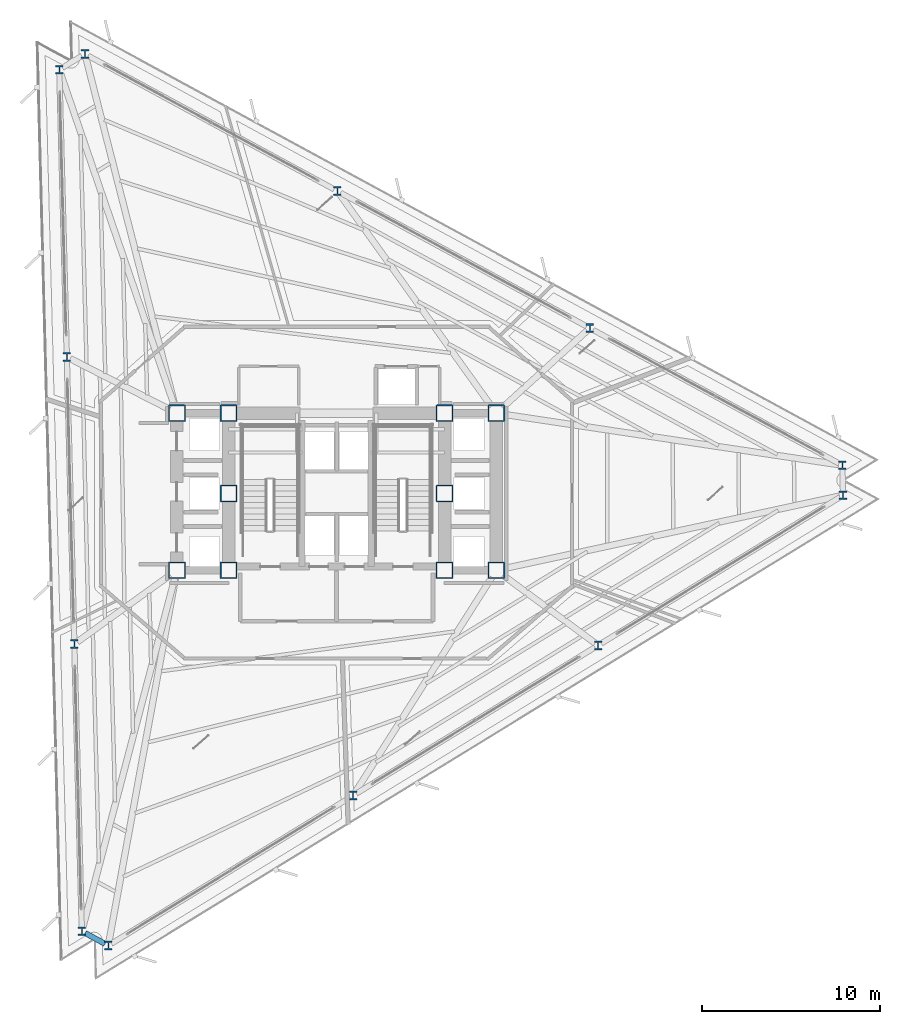
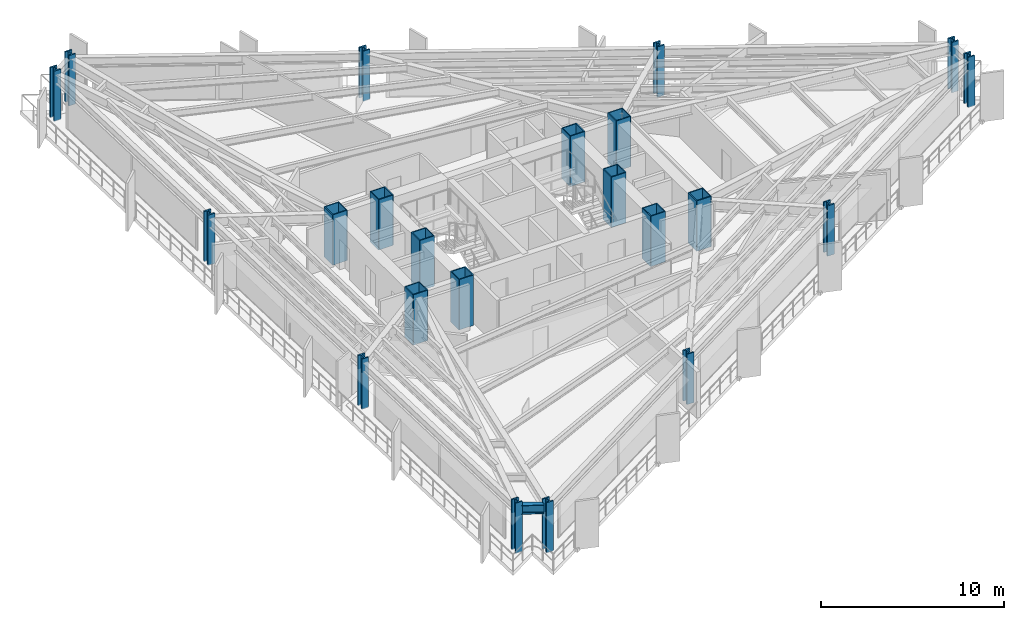
# One storey, part 1 of 14: 22 columns, 1 beam.
"""IFC4 building model written with IfcOpenShell, lengths in metres."""

from ifc_helpers import new_model, si_unit, direction, frame, origin, origin_2d, place, context, subcontext, project, spatial, hollow_rectangle, i_section, extrude, material, material_profile, profile_set, type_object, element, save


model = new_model("IFC4")

# Units and contexts
model_context = context("Model", 3, precision=1e-05, world=origin(), true_north=direction((0.0, 1.0)))
body_context = subcontext(model_context, "Body", "Model", "MODEL_VIEW")
ifc_project = project(units=[si_unit("LENGTHUNIT", "METRE"), si_unit("AREAUNIT", "SQUARE_METRE"), si_unit("VOLUMEUNIT", "CUBIC_METRE"), si_unit("PLANEANGLEUNIT", "RADIAN"), si_unit("MASSUNIT", "GRAM", prefix="KILO")], contexts=[model_context])

# Site, building, storey
site_placement = place(None, origin())
site = spatial("IfcSite", under=ifc_project, at=site_placement, CompositionType="ELEMENT")
building_placement = place(site_placement, origin())
building = spatial("IfcBuilding", under=site, at=building_placement, Name="Rocaltana Carrier Exchange", CompositionType="ELEMENT")
storey_placement = place(building_placement, frame((0.0, 0.0, 25.60009765625)))
storey = spatial("IfcBuildingStorey", under=building, at=storey_placement, Name="L08", CompositionType="ELEMENT", Elevation=25.60009765625)

# Columns
ifc_material_1 = material(Name="Steel S460", Category="steel")
ifc_material_profile_1 = material_profile(ifc_material_1, hollow_rectangle(XDim=0.949951171875, YDim=0.949951171875, WallThickness=0.06005859375, InnerFilletRadius=0.02001953125, OuterFilletRadius=0.0400390625, at=origin_2d()), Name="BOX950X950X60")
ifc_profile_set_1 = profile_set([ifc_material_profile_1], Name="Steel S460")
column_type_1 = type_object("IfcColumnType", Name="Core Mega-Column BOX950", PredefinedType="COLUMN", material=ifc_profile_set_1)
for number, where, z_axis, x_axis, name in (
    (1, (-6.050048828125, 4.5, 0.0), (0.0, 0.0, 1.0), (1.0, 0.0, 0.0), "L08 Core Mega-Column MC1"),
    (2, (6.050048828125, 4.5, 0.0), (0.0, 0.0, 1.0), (1.0, 0.0, 0.0), "L08 Core Mega-Column MC2"),
    (3, (-6.050048828125, 0.0, 0.0), (0.0, 0.0, 1.0), (1.0, 0.0, 0.0), "L08 Core Mega-Column MC3"),
    (4, (6.050048828125, 0.0, 0.0), (0.0, 0.0, 1.0), (1.0, 0.0, 0.0), "L08 Core Mega-Column MC4"),
    (5, (-6.050048828125, -4.300048828125, 0.0), (0.0, 0.0, 1.0), (1.0, 0.0, 0.0), "L08 Core Mega-Column MC5"),
    (6, (6.050048828125, -4.300048828125, 0.0), (0.0, 0.0, 1.0), (1.0, 0.0, 0.0), "L08 Core Mega-Column MC6"),
    (7, (-8.949951171875, 4.5, 0.0), (0.0, 0.0, 1.0), (1.0, 0.0, 0.0), "L08 West Core Column WC1"),
    (8, (-8.949951171875, -4.300048828125, 0.0), (0.0, 0.0, 1.0), (1.0, 0.0, 0.0), "L08 West Core Column WC2"),
    (9, (8.949951171875, 4.5, 0.0), (0.0, 0.0, 1.0), (1.0, 0.0, 0.0), "L08 East Core Column EC1"),
    (10, (8.949951171875, -4.300048828125, 0.0), (0.0, 0.0, 1.0), (1.0, 0.0, 0.0), "L08 East Core Column EC2"),
):
    element("IfcColumn", number, at=place(storey_placement, frame(where, z_axis=z_axis, x_axis=x_axis)), inside=storey, type_object=column_type_1, Name=name, PredefinedType="COLUMN", context=body_context, shape_type="SweptSolid", body=[
        extrude(hollow_rectangle(XDim=0.949951171875, YDim=0.949951171875, WallThickness=0.06005859375, InnerFilletRadius=0.02001953125, OuterFilletRadius=0.0400390625, at=origin_2d()), origin(), (0.0, 0.0, 1.0), 3.35986328125),
    ])
ifc_material_2 = material(Name="Steel S460", Category="steel")
ifc_material_profile_2 = material_profile(ifc_material_2, i_section(OverallWidth=0.431884765625, OverallDepth=0.498046875, WebThickness=0.0556640625, FlangeThickness=0.0888671875, FilletRadius=0.02490234375, at=origin_2d()), Name="W14X500")
ifc_profile_set_2 = profile_set([ifc_material_profile_2], Name="Steel S460")
column_type_2 = type_object("IfcColumnType", Name="Perimeter Column W14X500", PredefinedType="COLUMN", material=ifc_profile_set_2)
for number, where, z_axis, x_axis, name in (
    (11, (28.340576171875, 1.5849609375, 0.0), (0.0, 0.0, 1.0), (1.0, 0.0, 0.0), "L08 Perimeter Column TC01"),
    (12, (14.191650390625, 9.26708984375, 0.0), (0.0, 0.0, 1.0), (1.0, 0.0, 0.0), "L08 Perimeter Column TC02"),
    (13, (0.042724609375, 16.949462890625, 0.0), (0.0, 0.0, 1.0), (1.0, 0.0, 0.0), "L08 Perimeter Column TC03"),
    (14, (-14.106201171875, 24.631591796875, 0.0), (0.0, 0.0, 1.0), (1.0, 0.0, 0.0), "L08 Perimeter Column TC04"),
    (15, (-15.54296875, 23.751220703125, 0.0), (0.0, 0.0, 1.0), (1.0, 0.0, 0.0), "L08 Perimeter Column TC05"),
    (16, (-15.121337890625, 7.65673828125, 0.0), (0.0, 0.0, 1.0), (1.0, 0.0, 0.0), "L08 Perimeter Column TC06"),
    (17, (-14.699951171875, -8.437744140625, 0.0), (0.0, 0.0, 1.0), (1.0, 0.0, 0.0), "L08 Perimeter Column TC07"),
    (18, (-14.278564453125, -24.5322265625, 0.0), (0.0, 0.0, 1.0), (1.0, 0.0, 0.0), "L08 Perimeter Column TC08"),
    (19, (-12.7978515625, -25.336181640625, 0.0), (0.0, 0.0, 1.0), (1.0, 0.0, 0.0), "L08 Perimeter Column TC09"),
    (20, (0.9296875, -16.923828125, 0.0), (0.0, 0.0, 1.0), (1.0, 0.0, 0.0), "L08 Perimeter Column TC10"),
    (21, (14.6572265625, -8.51171875, 0.0), (0.0, 0.0, 1.0), (1.0, 0.0, 0.0), "L08 Perimeter Column TC11"),
    (22, (28.384765625, -0.099609375, 0.0), (0.0, 0.0, 1.0), (1.0, 0.0, 0.0), "L08 Perimeter Column TC12"),
):
    element("IfcColumn", number, at=place(storey_placement, frame(where, z_axis=z_axis, x_axis=x_axis)), inside=storey, type_object=column_type_2, Name=name, PredefinedType="COLUMN", context=body_context, shape_type="SweptSolid", body=[
        extrude(i_section(OverallWidth=0.431884765625, OverallDepth=0.498046875, WebThickness=0.0556640625, FlangeThickness=0.0888671875, FilletRadius=0.02490234375, at=origin_2d()), origin(), (0.0, 0.0, 1.0), 3.35986328125),
    ])

# Beam
ifc_material_3 = material(Name="Steel S355", Category="steel")
ifc_material_profile_3 = material_profile(ifc_material_3, i_section(OverallWidth=0.300048828125, OverallDepth=0.60009765625, WebThickness=0.015380859375, FlangeThickness=0.030029296875, FilletRadius=0.027099609375, at=origin_2d()), Name="HEB600")
ifc_profile_set_3 = profile_set([ifc_material_profile_3], Name="Steel S355")
beam_type = type_object("IfcBeamType", Name="Spandrel Edge Beam HEB600", PredefinedType="SPANDREL", material=ifc_profile_set_3)
beam_placement = place(storey_placement, frame((-14.095703125, -24.631591796875, 2.7978515625), z_axis=(0.878871874153, -0.477057888335, 0.0), x_axis=(0.477057888335, 0.878871874153, 0.0)))
element("IfcBeam", 23, at=beam_placement, inside=storey, type_object=beam_type, Name="SP-L08-08", PredefinedType="SPANDREL", context=body_context, shape_type="SweptSolid", body=[
    extrude(i_section(OverallWidth=0.300048828125, OverallDepth=0.60009765625, WebThickness=0.015380859375, FlangeThickness=0.030029296875, FilletRadius=0.027099609375, at=origin_2d()), origin(), (0.0, 0.0, 1.0), 1.2685546875),
])

save(model, "model.ifc")
